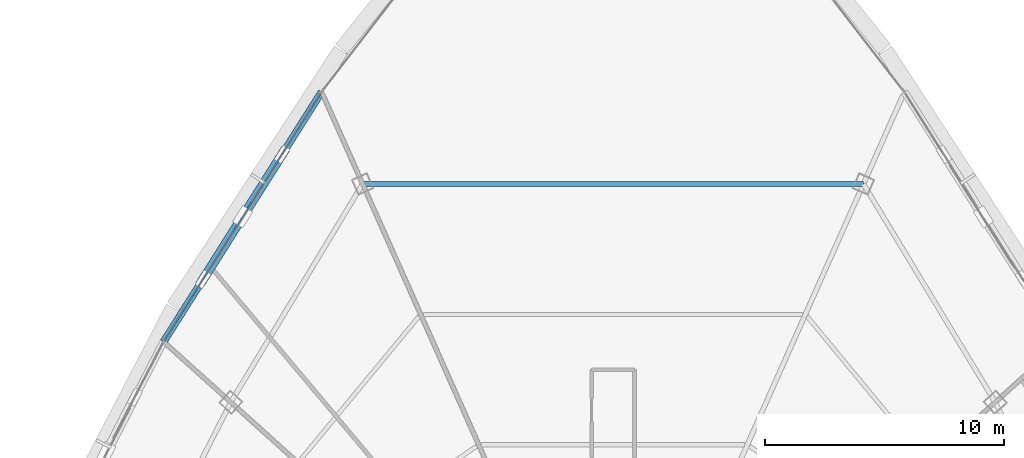
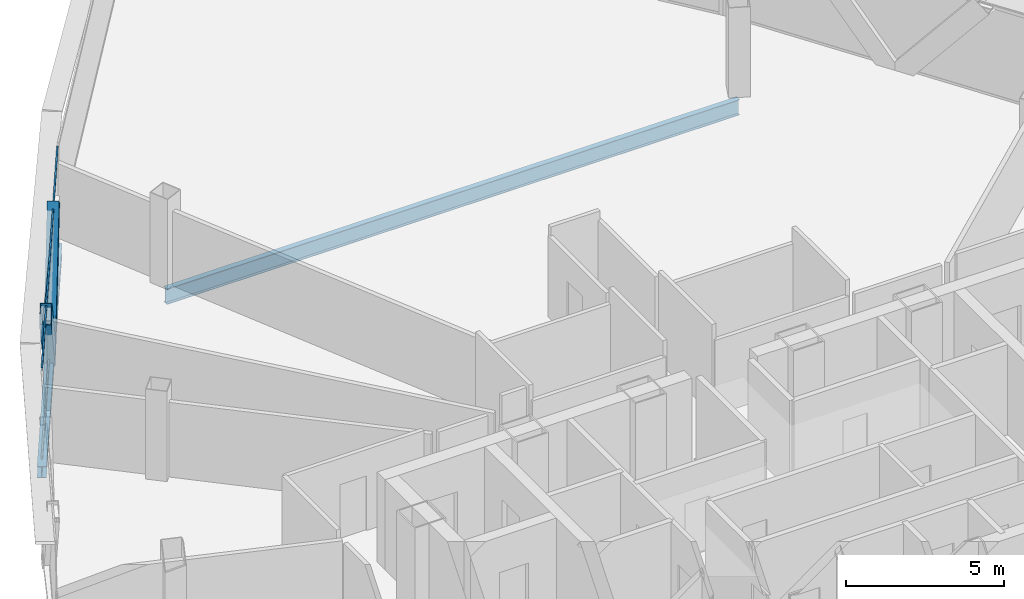
# One storey, part 19 of 33: 4 members, 2 beams, 1 element without a shape of its own.
"""IFC4 building model written with IfcOpenShell, lengths in metres."""

from ifc_helpers import new_model, si_unit, direction, frame, origin, origin_2d, place, context, subcontext, project, spatial, hollow_rectangle, i_section, extrude, source, transform, mapped, material, layer, layer_set, material_profile, profile_set, type_object, element, aggregate, save


model = new_model("IFC4")

# Units and contexts
model_context = context("Model", 3, precision=1e-05, world=origin(), true_north=direction((0.0, 1.0)))
body_context = subcontext(model_context, "Body", "Model", "MODEL_VIEW")
ifc_project = project(units=[si_unit("LENGTHUNIT", "METRE"), si_unit("AREAUNIT", "SQUARE_METRE"), si_unit("VOLUMEUNIT", "CUBIC_METRE"), si_unit("PLANEANGLEUNIT", "RADIAN"), si_unit("MASSUNIT", "GRAM", prefix="KILO"), si_unit("THERMODYNAMICTEMPERATUREUNIT", "KELVIN"), si_unit("POWERUNIT", "WATT")], contexts=[model_context])

# Site, building, storey
site_placement = place(None, origin())
site = spatial("IfcSite", under=ifc_project, at=site_placement, CompositionType="ELEMENT")
building_placement = place(site_placement, origin())
building = spatial("IfcBuilding", under=site, at=building_placement, Name="Yunzhuo Pagoda Commons", CompositionType="ELEMENT")
storey_placement = place(building_placement, frame((0.0, 0.0, 329.260009765625)))
storey = spatial("IfcBuildingStorey", under=building, at=storey_placement, Name="L82", CompositionType="ELEMENT", Elevation=329.260009765625)

# Beams
ifc_material_1 = material(Name="Structural steel Q355B", Category="steel")
ifc_material_profile_1 = material_profile(ifc_material_1, i_section(OverallWidth=0.300048828125, OverallDepth=0.43994140625, WebThickness=0.010986328125, FlangeThickness=0.01806640625, at=origin_2d()), Name="Structural steel Q355B")
ifc_profile_set_1 = profile_set([ifc_material_profile_1], Name="Structural steel Q355B")
beam_type_1 = type_object("IfcBeamType", Name="B-SP2 Beam HM 440x300x11x18", PredefinedType="BEAM", material=ifc_profile_set_1)
shared_shape_1 = source(origin(), body_context, "Body", "SweptSolid", [
    extrude(i_section(OverallWidth=0.300048828125, OverallDepth=0.43994140625, WebThickness=0.010986328125, FlangeThickness=0.01806640625, at=origin_2d()), origin(), (0.0, 0.0, 1.0), 12.39501953125),
])
beam_1_placement = place(storey_placement, frame((35.78173828125, 61.142578125, -0.47998046875), z_axis=(-0.534530897575, -0.845148933347, 0.0), x_axis=(0.845148933347, -0.534530897575, 0.0)))
element("IfcBeam", 1, at=beam_1_placement, inside=storey, type_object=beam_type_1, Name="L82 facade edge spandrel beam F3.1", PredefinedType="BEAM", context=body_context, shape_type="MappedRepresentation", body=[
    mapped(shared_shape_1, transform((0.0, 0.0, 0.0), scale=1.0)),
])
ifc_material_profile_2 = material_profile(ifc_material_1, i_section(OverallWidth=0.199951171875, OverallDepth=0.60009765625, WebThickness=0.010986328125, FlangeThickness=0.01708984375, at=origin_2d()), Name="Structural steel Q355B")
ifc_profile_set_2 = profile_set([ifc_material_profile_2], Name="Structural steel Q355B")
beam_type_2 = type_object("IfcBeamType", Name="B-RG3 Beam HN 600x200x11x17", PredefinedType="BEAM", material=ifc_profile_set_2)
shared_shape_2 = source(origin(), body_context, "Body", "SweptSolid", [
    extrude(i_section(OverallWidth=0.199951171875, OverallDepth=0.60009765625, WebThickness=0.010986328125, FlangeThickness=0.01708984375, at=origin_2d()), origin(), (0.0, 0.0, 1.0), 20.99755859375),
])
beam_2_placement = place(storey_placement, frame((58.498779296875, 57.281005859375, -0.56005859375), z_axis=(-1.0, 0.0, 0.0), x_axis=(0.0, -1.0, 0.0)))
element("IfcBeam", 2, at=beam_2_placement, inside=storey, type_object=beam_type_2, Name="L82 column-ring beam 8", PredefinedType="BEAM", context=body_context, shape_type="MappedRepresentation", body=[
    mapped(shared_shape_2, transform((0.0, 0.0, 0.0), scale=1.0)),
])

# Members
ifc_material_profile_3 = material_profile(ifc_material_1, hollow_rectangle(XDim=0.3798828125, YDim=0.719970703125, WallThickness=0.02001953125, at=origin_2d()), Name="Structural steel Q355B")
ifc_profile_set_3 = profile_set([ifc_material_profile_3], Name="Structural steel Q355B")
member_type_1 = type_object("IfcMemberType", Name="M-DL3 Brace BOX 720x380x20", PredefinedType="BRACE", material=ifc_profile_set_3)
shared_shape_3 = source(origin(), body_context, "Body", "SweptSolid", [
    extrude(hollow_rectangle(XDim=0.3798828125, YDim=0.719970703125, WallThickness=0.02001953125, at=origin_2d()), origin(), (0.0, 0.0, 1.0), 4.864501953125),
])
member_1_placement = place(storey_placement, frame((32.468994140625, 55.90478515625, -0.260009765625), z_axis=(-0.340470287442, -0.538358604568, 0.77087612251), x_axis=(0.845166729607, -0.534502758801, 0.0)))
element("IfcMember", 3, at=member_1_placement, inside=storey, type_object=member_type_1, Name="L82 facade diamond brace F3.1R", PredefinedType="BRACE", context=body_context, shape_type="MappedRepresentation", body=[
    mapped(shared_shape_3, transform((0.0, 0.0, 0.0), scale=1.0)),
])
shared_shape_4 = source(origin(), body_context, "Body", "SweptSolid", [
    extrude(hollow_rectangle(XDim=0.3798828125, YDim=0.719970703125, WallThickness=0.02001953125, at=origin_2d()), origin(), (0.0, 0.0, 1.0), 4.86474609375),
])
member_2_placement = place(storey_placement, frame((32.468994140625, 55.90478515625, -0.260009765625), z_axis=(0.340514655846, 0.538349405049, 0.770862949711), x_axis=(-0.845131136899, 0.534559034573, 0.0)))
element("IfcMember", 4, at=member_2_placement, inside=storey, type_object=member_type_1, Name="L82 facade diamond brace F3.1L", PredefinedType="BRACE", context=body_context, shape_type="MappedRepresentation", body=[
    mapped(shared_shape_4, transform((0.0, 0.0, 0.0), scale=1.0)),
])

# Curtain wall, members
ifc_material_2 = material(Name="Anodized aluminium 6063-T6", Category="aluminium")
ifc_layer = layer(ifc_material_2, 0.139892578125)
ifc_layer_set = layer_set([ifc_layer], Name="Anodized aluminium 6063-T6")
curtain_wall_type = type_object("IfcCurtainWallType", Name="CW-HI High-Zone Ribbon Curtain Wall", PredefinedType="NOTDEFINED", material=ifc_layer_set)
curtain_wall_placement = place(storey_placement, origin())
curtain_wall = element("IfcCurtainWall", 5, at=curtain_wall_placement, inside=storey, type_object=curtain_wall_type, Name="L82 curtain wall CW-L82-F3B2", PredefinedType="NOTDEFINED")
ifc_material_profile_4 = material_profile(ifc_material_2, hollow_rectangle(XDim=0.054931640625, YDim=0.1201171875, WallThickness=0.00341796875, at=origin_2d()), Name="Anodized aluminium 6063-T6")
ifc_profile_set_4 = profile_set([ifc_material_profile_4], Name="Anodized aluminium 6063-T6")
member_type_2 = type_object("IfcMemberType", Name="CW-HI-T Transom RHS 120x55x3.5", PredefinedType="USERDEFINED", material=ifc_profile_set_4)
shared_shape_5 = source(origin(), body_context, "Body", "SweptSolid", [
    extrude(hollow_rectangle(XDim=0.054931640625, YDim=0.1201171875, WallThickness=0.00341796875, at=origin_2d()), origin(), (0.0, 0.0, 1.0), 12.27490234375),
])
member_3_placement = place(storey_placement, frame((35.749755859375, 61.091796875, 0.027587890625), z_axis=(-0.53453242194, -0.845147969231, 0.0), x_axis=(0.845147969231, -0.53453242194, 0.0)))
member_3 = element("IfcMember", 6, at=member_3_placement, type_object=member_type_2, Name="CW transom 1.1", ObjectType="TRANSOM", PredefinedType="USERDEFINED", context=body_context, shape_type="MappedRepresentation", body=[
    mapped(shared_shape_5, transform((0.0, 0.0, 0.0), scale=1.0)),
])
member_4_placement = place(storey_placement, frame((35.749755859375, 61.091796875, 3.46240234375), z_axis=(-0.53453242194, -0.845147969231, 0.0), x_axis=(0.845147969231, -0.53453242194, 0.0)))
member_4 = element("IfcMember", 7, at=member_4_placement, type_object=member_type_2, Name="CW transom 1.2", ObjectType="TRANSOM", PredefinedType="USERDEFINED", context=body_context, shape_type="MappedRepresentation", body=[
    mapped(shared_shape_5, transform((0.0, 0.0, 0.0), scale=1.0)),
])
aggregate(curtain_wall, [member_3, member_4])

save(model, "model.ifc")
